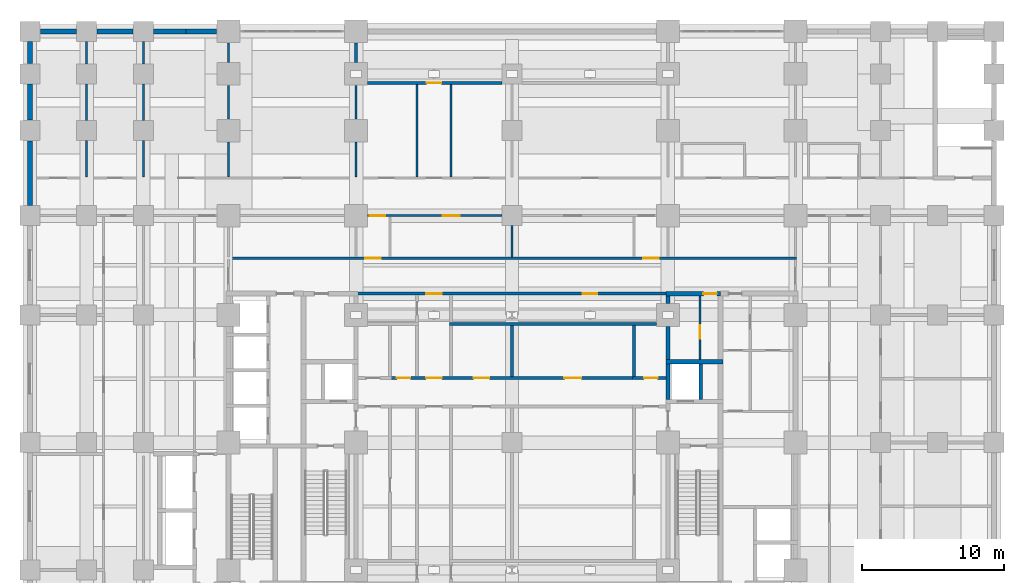
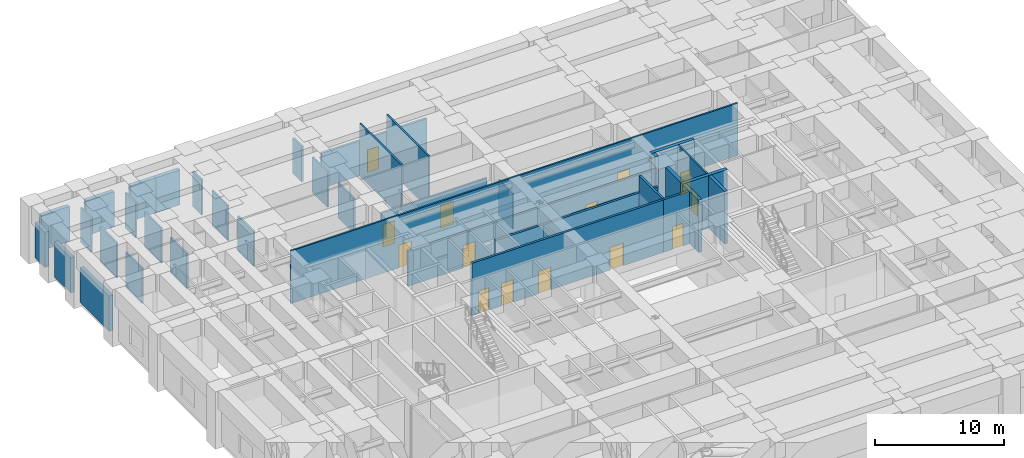
# One storey, part 12 of 22: 38 walls, 14 doors, 14 openings.
"""IFC4 building model written with IfcOpenShell, lengths in metres."""

from ifc_helpers import new_model, si_unit, direction, frame, frame_2d, origin, place, context, subcontext, project, spatial, rectangle, extrude, material, layer, layer_set, type_object, element, fill, save


model = new_model("IFC4")

# Units and contexts
model_context = context("Model", 3, precision=1e-05, world=origin(), true_north=direction((0.0, 1.0)))
body_context = subcontext(model_context, "Body", "Model", "MODEL_VIEW")
ifc_project = project(units=[si_unit("LENGTHUNIT", "METRE"), si_unit("AREAUNIT", "SQUARE_METRE"), si_unit("VOLUMEUNIT", "CUBIC_METRE"), si_unit("PLANEANGLEUNIT", "RADIAN"), si_unit("MASSUNIT", "GRAM", prefix="KILO")], contexts=[model_context])

# Site, building, storey
site_placement = place(None, origin())
site = spatial("IfcSite", under=ifc_project, at=site_placement, CompositionType="ELEMENT")
building_placement = place(site_placement, origin())
building = spatial("IfcBuilding", under=site, at=building_placement, Name="Zulmaris Gate Convention Tower", CompositionType="ELEMENT")
storey_placement = place(building_placement, frame((0.0, 0.0, 21.760009765625)))
storey = spatial("IfcBuildingStorey", under=building, at=storey_placement, Name="L04", CompositionType="ELEMENT", Elevation=21.760009765625)

# Walls
ifc_material_1 = material(Name="Concrete C50/60", Category="concrete")
ifc_layer_1 = layer(ifc_material_1, 0.25, Name="Concrete C50/60")
ifc_layer_set_1 = layer_set([ifc_layer_1], Name="Concrete C50/60")
wall_type_1 = type_object("IfcWallType", Name="CORE-250", PredefinedType="SOLIDWALL", material=ifc_layer_set_1)
wall_1_placement = place(storey_placement, frame((13.300048828125, 3.052001953125, 0.0), z_axis=(0.0, 0.0, 1.0), x_axis=(0.0, 1.0, 0.0)))
element("IfcWall", 1, at=wall_1_placement, inside=storey, type_object=wall_type_1, Name="WL-L04-103", PredefinedType="SOLIDWALL", context=body_context, shape_type="SweptSolid", body=[
    extrude(rectangle(XDim=2.49609375, YDim=0.25, at=frame_2d((1.248046875, 0.0))), origin(), (0.0, 0.0, 1.0), 4.989990234375),
])
ifc_layer_2 = layer(ifc_material_1, 0.300048828125, Name="Concrete C50/60")
ifc_layer_set_2 = layer_set([ifc_layer_2], Name="Concrete C50/60")
wall_type_2 = type_object("IfcWallType", Name="CORE-300", PredefinedType="SHEAR", material=ifc_layer_set_2)
wall_2_placement = place(storey_placement, frame((10.85009765625, 5.699951171875, 0.0), z_axis=(0.0, 0.0, 1.0), x_axis=(1.0, 0.0, 0.0)))
element("IfcWall", 2, at=wall_2_placement, inside=storey, type_object=wall_type_2, Name="WL-L04-021", PredefinedType="SHEAR", context=body_context, shape_type="SweptSolid", body=[
    extrude(rectangle(XDim=4.02490234375, YDim=0.300048828125, at=frame_2d((2.012451171875, 0.0))), origin(), (0.0, 0.0, 1.0), 4.989990234375),
])

# Wall, opening, door
wall_3_placement = place(storey_placement, frame((10.85009765625, 10.5, 0.0), z_axis=(0.0, 0.0, 1.0), x_axis=(1.0, 0.0, 0.0)))
wall_3 = element("IfcWall", 3, at=wall_3_placement, inside=storey, type_object=wall_type_2, Name="WL-L04-025", PredefinedType="SHEAR", context=body_context, shape_type="SweptSolid", body=[
    extrude(rectangle(XDim=3.849853515625, YDim=0.300048828125, at=frame_2d((1.9248046875, 0.0))), origin(), (0.0, 0.0, 1.0), 4.989990234375),
])
opening_1_placement = place(wall_3_placement, frame((2.655029296875, 0.0, 0.0)))
opening_1 = element("IfcOpeningElement", 4, at=opening_1_placement, cuts=wall_3, Name="Opening D-11", PredefinedType="OPENING", context=body_context, shape_type="SweptSolid", body=[
    extrude(rectangle(XDim=0.949951171875, YDim=2.14990234375, at=frame_2d((0.47509765625, 1.074951171875))), frame((0.0, 0.16015625, 0.0), z_axis=(0.0, -1.0, 0.0), x_axis=(1.0, 0.0, 0.0)), (0.0, 0.0, 1.0), 0.320068359375),
])
ifc_material_2 = material(Name="Fire-Rated Timber", Category="wood")
door_type_1 = type_object("IfcDoorType", Name="DR-950-FD", OperationType="NOTDEFINED", PredefinedType="DOOR", material=ifc_material_2)
door_1_placement = place(opening_1_placement, origin())
door_1 = element("IfcDoor", 5, at=door_1_placement, inside=storey, type_object=door_type_1, Name="L04 Core Linen Closet Door 08", OperationType="SINGLE_SWING_RIGHT", OverallHeight=2.14990234375, OverallWidth=0.949951171875, PredefinedType="DOOR", context=body_context, shape_type="SweptSolid", body=[
    extrude(rectangle(XDim=0.949951171875, YDim=2.14990234375, at=frame_2d((0.47509765625, 1.074951171875))), frame((0.0, 0.02490234375, 0.0), z_axis=(0.0, -1.0, 0.0), x_axis=(1.0, 0.0, 0.0)), (0.0, 0.0, 1.0), 0.050048828125),
])
fill(opening_1, door_1)

# Walls
wall_4_placement = place(storey_placement, frame((11.0, 3.052001953125, 0.0), z_axis=(0.0, 0.0, 1.0), x_axis=(0.0, 1.0, 0.0)))
element("IfcWall", 6, at=wall_4_placement, inside=storey, type_object=wall_type_2, Name="WL-L04-100", PredefinedType="SHEAR", context=body_context, shape_type="SweptSolid", body=[
    extrude(rectangle(XDim=2.49609375, YDim=0.300048828125, at=frame_2d((1.248046875, 0.0))), origin(), (0.0, 0.0, 1.0), 4.989990234375),
])
wall_5_placement = place(storey_placement, frame((11.0, 5.85205078125, 0.0), z_axis=(0.0, 0.0, 1.0), x_axis=(0.0, 1.0, 0.0)))
element("IfcWall", 7, at=wall_5_placement, inside=storey, type_object=wall_type_2, Name="WL-L04-101", PredefinedType="SHEAR", context=body_context, shape_type="SweptSolid", body=[
    extrude(rectangle(XDim=2.343994140625, YDim=0.300048828125, at=frame_2d((1.171875, 0.0))), origin(), (0.0, 0.0, 1.0), 4.989990234375),
])
wall_6_placement = place(storey_placement, frame((11.0, 9.803955078125, 0.0), z_axis=(0.0, 0.0, 1.0), x_axis=(0.0, 1.0, 0.0)))
element("IfcWall", 8, at=wall_6_placement, inside=storey, type_object=wall_type_2, Name="WL-L04-101S1", PredefinedType="SHEAR", context=body_context, shape_type="SweptSolid", body=[
    extrude(rectangle(XDim=0.5439453125, YDim=0.300048828125, at=frame_2d((0.27197265625, 0.0))), origin(), (0.0, 0.0, 1.0), 4.989990234375),
])

# Wall, openings, doors
ifc_material_3 = material(Name="Gypsum Metal Stud Partition")
ifc_layer_3 = layer(ifc_material_3, 0.14990234375, Name="Gypsum Metal Stud Partition")
ifc_layer_set_3 = layer_set([ifc_layer_3], Name="Gypsum Metal Stud Partition")
wall_type_3 = type_object("IfcWallType", Name="PART-150", PredefinedType="PARTITIONING", material=ifc_layer_set_3)
wall_7_placement = place(storey_placement, frame((-20.074951171875, 13.0, 0.0), z_axis=(0.0, 0.0, 1.0), x_axis=(1.0, 0.0, 0.0)))
wall_7 = element("IfcWall", 9, at=wall_7_placement, inside=storey, type_object=wall_type_3, Name="WL-L04-067", PredefinedType="PARTITIONING", context=body_context, shape_type="SweptSolid", body=[
    extrude(rectangle(XDim=40.14990234375, YDim=0.14990234375, at=frame_2d((20.074951171875, 0.0))), origin(), (0.0, 0.0, 1.0), 4.989990234375),
])
opening_2_placement = place(wall_7_placement, frame((9.72509765625, 0.0, 0.0)))
opening_2 = element("IfcOpeningElement", 10, at=opening_2_placement, cuts=wall_7, Name="Opening D-08", PredefinedType="OPENING", context=body_context, shape_type="SweptSolid", body=[
    extrude(rectangle(XDim=1.10009765625, YDim=2.14990234375, at=frame_2d((0.550048828125, 1.074951171875))), frame((0.0, 0.0849609375, 0.0), z_axis=(0.0, -1.0, 0.0), x_axis=(1.0, 0.0, 0.0)), (0.0, 0.0, 1.0), 0.169921875),
])
opening_3_placement = place(wall_7_placement, frame((29.324951171875, 0.0, 0.0)))
opening_3 = element("IfcOpeningElement", 11, at=opening_3_placement, cuts=wall_7, Name="Opening D-08", PredefinedType="OPENING", context=body_context, shape_type="SweptSolid", body=[
    extrude(rectangle(XDim=1.10009765625, YDim=2.14990234375, at=frame_2d((0.550048828125, 1.074951171875))), frame((0.0, 0.0849609375, 0.0), z_axis=(0.0, -1.0, 0.0), x_axis=(1.0, 0.0, 0.0)), (0.0, 0.0, 1.0), 0.169921875),
])
ifc_material_4 = material(Name="Fire-Rated Steel", Category="steel")
door_type_2 = type_object("IfcDoorType", Name="DR-1100-FD", OperationType="NOTDEFINED", PredefinedType="DOOR", material=ifc_material_4)
door_2_placement = place(opening_2_placement, origin())
door_2 = element("IfcDoor", 12, at=door_2_placement, inside=storey, type_object=door_type_2, Name="L04 West Spine North Door 40", OperationType="SINGLE_SWING_RIGHT", OverallHeight=2.14990234375, OverallWidth=1.10009765625, PredefinedType="DOOR", context=body_context, shape_type="SweptSolid", body=[
    extrude(rectangle(XDim=1.10009765625, YDim=2.14990234375, at=frame_2d((0.550048828125, 1.074951171875))), frame((0.0, 0.02490234375, 0.0), z_axis=(0.0, -1.0, 0.0), x_axis=(1.0, 0.0, 0.0)), (0.0, 0.0, 1.0), 0.050048828125),
])
fill(opening_2, door_2)
door_3_placement = place(opening_3_placement, origin())
door_3 = element("IfcDoor", 13, at=door_3_placement, inside=storey, type_object=door_type_2, Name="L04 East Spine North Door 41", OperationType="SINGLE_SWING_LEFT", OverallHeight=2.14990234375, OverallWidth=1.10009765625, PredefinedType="DOOR", context=body_context, shape_type="SweptSolid", body=[
    extrude(rectangle(XDim=1.10009765625, YDim=2.14990234375, at=frame_2d((0.550048828125, 1.074951171875))), frame((0.0, 0.02490234375, 0.0), z_axis=(0.0, -1.0, 0.0), x_axis=(1.0, 0.0, 0.0)), (0.0, 0.0, 1.0), 0.050048828125),
])
fill(opening_3, door_3)

wall_8_placement = place(storey_placement, frame((-10.194091796875, 16.0, 0.0), z_axis=(0.0, 0.0, 1.0), x_axis=(1.0, 0.0, 0.0)))
wall_8 = element("IfcWall", 14, at=wall_8_placement, inside=storey, type_object=wall_type_3, Name="WL-L04-068S4", PredefinedType="PARTITIONING", context=body_context, shape_type="SweptSolid", body=[
    extrude(rectangle(XDim=9.488037109375, YDim=0.14990234375, at=frame_2d((4.744140625, 0.0))), origin(), (0.0, 0.0, 1.0), 3.33203125),
])
opening_4_placement = place(wall_8_placement, frame((0.14990234375, 0.0, 0.0)))
opening_4 = element("IfcOpeningElement", 15, at=opening_4_placement, cuts=wall_8, Name="Opening D-08", PredefinedType="OPENING", context=body_context, shape_type="SweptSolid", body=[
    extrude(rectangle(XDim=1.10009765625, YDim=2.14990234375, at=frame_2d((0.550048828125, 1.074951171875))), frame((0.0, 0.0849609375, 0.0), z_axis=(0.0, -1.0, 0.0), x_axis=(1.0, 0.0, 0.0)), (0.0, 0.0, 1.0), 0.169921875),
])
opening_5_placement = place(wall_8_placement, frame((5.2939453125, 0.0, 0.0)))
opening_5 = element("IfcOpeningElement", 16, at=opening_5_placement, cuts=wall_8, Name="Opening D-13", PredefinedType="OPENING", context=body_context, shape_type="SweptSolid", body=[
    extrude(rectangle(XDim=1.199951171875, YDim=2.14990234375, at=frame_2d((0.60009765625, 1.074951171875))), frame((0.0, 0.0849609375, 0.0), z_axis=(0.0, -1.0, 0.0), x_axis=(1.0, 0.0, 0.0)), (0.0, 0.0, 1.0), 0.169921875),
])
door_4_placement = place(opening_4_placement, origin())
door_4 = element("IfcDoor", 17, at=door_4_placement, inside=storey, type_object=door_type_2, Name="L04 NW Concourse Link Door 36", OperationType="SINGLE_SWING_RIGHT", OverallHeight=2.14990234375, OverallWidth=1.10009765625, PredefinedType="DOOR", context=body_context, shape_type="SweptSolid", body=[
    extrude(rectangle(XDim=1.10009765625, YDim=2.14990234375, at=frame_2d((0.550048828125, 1.074951171875))), frame((0.0, 0.02490234375, 0.0), z_axis=(0.0, -1.0, 0.0), x_axis=(1.0, 0.0, 0.0)), (0.0, 0.0, 1.0), 0.050048828125),
])
fill(opening_4, door_4)
door_type_3 = type_object("IfcDoorType", Name="DR-1200-FD", OperationType="NOTDEFINED", PredefinedType="DOOR", material=ifc_material_4)
door_5_placement = place(opening_5_placement, origin())
door_5 = element("IfcDoor", 18, at=door_5_placement, inside=storey, type_object=door_type_3, Name="L04 West Pre-Function North Door 48", OperationType="SINGLE_SWING_RIGHT", OverallHeight=2.14990234375, OverallWidth=1.199951171875, PredefinedType="DOOR", context=body_context, shape_type="SweptSolid", body=[
    extrude(rectangle(XDim=1.199951171875, YDim=2.14990234375, at=frame_2d((0.60009765625, 1.074951171875))), frame((0.0, 0.02490234375, 0.0), z_axis=(0.0, -1.0, 0.0), x_axis=(1.0, 0.0, 0.0)), (0.0, 0.0, 1.0), 0.050048828125),
])
fill(opening_5, door_5)

# Walls
wall_9_placement = place(storey_placement, frame((-30.0, 18.72802734375, 0.0), z_axis=(0.0, 0.0, 1.0), x_axis=(0.0, 1.0, 0.0)))
element("IfcWall", 19, at=wall_9_placement, inside=storey, type_object=wall_type_3, Name="WL-L04-115", PredefinedType="PARTITIONING", context=body_context, shape_type="SweptSolid", body=[
    extrude(rectangle(XDim=2.56591796875, YDim=0.14990234375, at=frame_2d((1.282958984375, 0.0))), origin(), (0.0, 0.0, 1.0), 3.33203125),
])
wall_10_placement = place(storey_placement, frame((-30.0, 22.7060546875, 0.0), z_axis=(0.0, 0.0, 1.0), x_axis=(0.0, 1.0, 0.0)))
element("IfcWall", 20, at=wall_10_placement, inside=storey, type_object=wall_type_3, Name="WL-L04-115S1", PredefinedType="PARTITIONING", context=body_context, shape_type="SweptSolid", body=[
    extrude(rectangle(XDim=2.587890625, YDim=0.14990234375, at=frame_2d((1.2939453125, 0.0))), origin(), (0.0, 0.0, 1.0), 3.33203125),
])
wall_11_placement = place(storey_placement, frame((-30.0, 26.7060546875, 0.0), z_axis=(0.0, 0.0, 1.0), x_axis=(0.0, 1.0, 0.0)))
element("IfcWall", 21, at=wall_11_placement, inside=storey, type_object=wall_type_3, Name="WL-L04-115S2", PredefinedType="PARTITIONING", context=body_context, shape_type="SweptSolid", body=[
    extrude(rectangle(XDim=1.587890625, YDim=0.14990234375, at=frame_2d((0.7939453125, 0.0))), origin(), (0.0, 0.0, 1.0), 3.33203125),
])
wall_12_placement = place(storey_placement, frame((-26.0, 18.72802734375, 0.0), z_axis=(0.0, 0.0, 1.0), x_axis=(0.0, 1.0, 0.0)))
element("IfcWall", 22, at=wall_12_placement, inside=storey, type_object=wall_type_3, Name="WL-L04-125", PredefinedType="PARTITIONING", context=body_context, shape_type="SweptSolid", body=[
    extrude(rectangle(XDim=2.56591796875, YDim=0.14990234375, at=frame_2d((1.282958984375, 0.0))), origin(), (0.0, 0.0, 1.0), 3.33203125),
])
wall_13_placement = place(storey_placement, frame((-26.0, 22.7060546875, 0.0), z_axis=(0.0, 0.0, 1.0), x_axis=(0.0, 1.0, 0.0)))
element("IfcWall", 23, at=wall_13_placement, inside=storey, type_object=wall_type_3, Name="WL-L04-125S1", PredefinedType="PARTITIONING", context=body_context, shape_type="SweptSolid", body=[
    extrude(rectangle(XDim=2.587890625, YDim=0.14990234375, at=frame_2d((1.2939453125, 0.0))), origin(), (0.0, 0.0, 1.0), 3.33203125),
])
wall_14_placement = place(storey_placement, frame((-26.0, 26.7060546875, 0.0), z_axis=(0.0, 0.0, 1.0), x_axis=(0.0, 1.0, 0.0)))
element("IfcWall", 24, at=wall_14_placement, inside=storey, type_object=wall_type_3, Name="WL-L04-125S2", PredefinedType="PARTITIONING", context=body_context, shape_type="SweptSolid", body=[
    extrude(rectangle(XDim=1.587890625, YDim=0.14990234375, at=frame_2d((0.7939453125, 0.0))), origin(), (0.0, 0.0, 1.0), 3.33203125),
])
wall_15_placement = place(storey_placement, frame((-20.0, 18.72802734375, 0.0), z_axis=(0.0, 0.0, 1.0), x_axis=(0.0, 1.0, 0.0)))
element("IfcWall", 25, at=wall_15_placement, inside=storey, type_object=wall_type_3, Name="WL-L04-133", PredefinedType="PARTITIONING", context=body_context, shape_type="SweptSolid", body=[
    extrude(rectangle(XDim=2.466064453125, YDim=0.14990234375, at=frame_2d((1.23291015625, 0.0))), origin(), (0.0, 0.0, 1.0), 3.33203125),
])
wall_16_placement = place(storey_placement, frame((-20.0, 22.805908203125, 0.0), z_axis=(0.0, 0.0, 1.0), x_axis=(0.0, 1.0, 0.0)))
element("IfcWall", 26, at=wall_16_placement, inside=storey, type_object=wall_type_3, Name="WL-L04-133S1", PredefinedType="PARTITIONING", context=body_context, shape_type="SweptSolid", body=[
    extrude(rectangle(XDim=2.38818359375, YDim=0.14990234375, at=frame_2d((1.194091796875, 0.0))), origin(), (0.0, 0.0, 1.0), 3.33203125),
])
wall_17_placement = place(storey_placement, frame((-20.0, 26.805908203125, 0.0), z_axis=(0.0, 0.0, 1.0), x_axis=(0.0, 1.0, 0.0)))
element("IfcWall", 27, at=wall_17_placement, inside=storey, type_object=wall_type_3, Name="WL-L04-133S2", PredefinedType="PARTITIONING", context=body_context, shape_type="SweptSolid", body=[
    extrude(rectangle(XDim=1.38818359375, YDim=0.14990234375, at=frame_2d((0.694091796875, 0.0))), origin(), (0.0, 0.0, 1.0), 3.33203125),
])
wall_18_placement = place(storey_placement, frame((-11.0, 18.72802734375, 0.0), z_axis=(0.0, 0.0, 1.0), x_axis=(0.0, 1.0, 0.0)))
element("IfcWall", 28, at=wall_18_placement, inside=storey, type_object=wall_type_3, Name="WL-L04-137", PredefinedType="PARTITIONING", context=body_context, shape_type="SweptSolid", body=[
    extrude(rectangle(XDim=2.466064453125, YDim=0.14990234375, at=frame_2d((1.23291015625, 0.0))), origin(), (0.0, 0.0, 1.0), 3.33203125),
])
wall_19_placement = place(storey_placement, frame((-11.0, 22.805908203125, 0.0), z_axis=(0.0, 0.0, 1.0), x_axis=(0.0, 1.0, 0.0)))
element("IfcWall", 29, at=wall_19_placement, inside=storey, type_object=wall_type_3, Name="WL-L04-137S1", PredefinedType="PARTITIONING", context=body_context, shape_type="SweptSolid", body=[
    extrude(rectangle(XDim=2.38818359375, YDim=0.14990234375, at=frame_2d((1.194091796875, 0.0))), origin(), (0.0, 0.0, 1.0), 3.33203125),
])
for number, where, z_axis, x_axis, name in (
    (30, (-6.699951171875, 18.72802734375, 0.0), (0.0, 0.0, 1.0), (0.0, 1.0, 0.0), "WL-L04-149"),
    (31, (-4.300048828125, 18.72802734375, 0.0), (0.0, 0.0, 1.0), (0.0, 1.0, 0.0), "WL-L04-156"),
):
    element("IfcWall", number, at=place(storey_placement, frame(where, z_axis=z_axis, x_axis=x_axis)), inside=storey, type_object=wall_type_3, Name=name, PredefinedType="PARTITIONING", context=body_context, shape_type="SweptSolid", body=[
        extrude(rectangle(XDim=6.51904296875, YDim=0.14990234375, at=frame_2d((3.259521484375, 0.0))), origin(), (0.0, 0.0, 1.0), 4.989990234375),
    ])
wall_20_placement = place(storey_placement, frame((0.0, 13.077880859375, 0.0), z_axis=(0.0, 0.0, 1.0), x_axis=(0.0, 1.0, 0.0)))
element("IfcWall", 32, at=wall_20_placement, inside=storey, type_object=wall_type_3, Name="WL-L04-161", PredefinedType="PARTITIONING", context=body_context, shape_type="SweptSolid", body=[
    extrude(rectangle(XDim=2.216064453125, YDim=0.14990234375, at=frame_2d((1.10791015625, 0.0))), origin(), (0.0, 0.0, 1.0), 3.33203125),
])

# Wall, opening, door
wall_21_placement = place(storey_placement, frame((13.25, 5.85302734375, 0.0), z_axis=(0.0, 0.0, 1.0), x_axis=(0.0, 1.0, 0.0)))
wall_21 = element("IfcWall", 33, at=wall_21_placement, inside=storey, type_object=wall_type_3, Name="WL-L04-173", PredefinedType="PARTITIONING", context=body_context, shape_type="SweptSolid", body=[
    extrude(rectangle(XDim=4.493896484375, YDim=0.14990234375, at=frame_2d((2.2470703125, 0.0))), origin(), (0.0, 0.0, 1.0), 4.989990234375),
])
opening_6_placement = place(wall_21_placement, frame((1.471923828125, 0.0, 0.0)))
opening_6 = element("IfcOpeningElement", 34, at=opening_6_placement, cuts=wall_21, Name="Opening D-11", PredefinedType="OPENING", context=body_context, shape_type="SweptSolid", body=[
    extrude(rectangle(XDim=0.949951171875, YDim=2.14990234375, at=frame_2d((0.47509765625, 1.074951171875))), frame((0.0, 0.0849609375, 0.0), z_axis=(0.0, -1.0, 0.0), x_axis=(1.0, 0.0, 0.0)), (0.0, 0.0, 1.0), 0.169921875),
])
door_6_placement = place(opening_6_placement, origin())
door_6 = element("IfcDoor", 35, at=door_6_placement, inside=storey, type_object=door_type_1, Name="L04 Core Service Pantry Door 09", OperationType="SINGLE_SWING_LEFT", OverallHeight=2.14990234375, OverallWidth=0.949951171875, PredefinedType="DOOR", context=body_context, shape_type="SweptSolid", body=[
    extrude(rectangle(XDim=0.949951171875, YDim=2.14990234375, at=frame_2d((0.47509765625, 1.074951171875))), frame((0.0, 0.02490234375, 0.0), z_axis=(0.0, -1.0, 0.0), x_axis=(1.0, 0.0, 0.0)), (0.0, 0.0, 1.0), 0.050048828125),
])
fill(opening_6, door_6)

# Wall, openings, doors
ifc_material_5 = material(Name="Autoclaved Aerated Concrete Block and Plasterboard", Category="concrete")
ifc_layer_4 = layer(ifc_material_5, 0.199951171875, Name="Autoclaved Aerated Concrete Block and Plasterboard")
ifc_layer_set_4 = layer_set([ifc_layer_4], Name="Autoclaved Aerated Concrete Block and Plasterboard")
wall_type_4 = type_object("IfcWallType", Name="PART-200", PredefinedType="PARTITIONING", material=ifc_layer_set_4)
wall_22_placement = place(storey_placement, frame((-8.699951171875, 4.550048828125, 0.0), z_axis=(0.0, 0.0, 1.0), x_axis=(1.0, 0.0, 0.0)))
wall_22 = element("IfcWall", 36, at=wall_22_placement, inside=storey, type_object=wall_type_4, Name="WL-L04-059", PredefinedType="PARTITIONING", context=body_context, shape_type="SweptSolid", body=[
    extrude(rectangle(XDim=17.39990234375, YDim=0.199951171875, at=frame_2d((8.699951171875, 0.0))), origin(), (0.0, 0.0, 1.0), 4.989990234375),
])
opening_7_placement = place(wall_22_placement, frame((2.64990234375, 0.0, 0.0)))
opening_7 = element("IfcOpeningElement", 37, at=opening_7_placement, cuts=wall_22, Name="Opening D-08", PredefinedType="OPENING", context=body_context, shape_type="SweptSolid", body=[
    extrude(rectangle(XDim=1.10009765625, YDim=2.14990234375, at=frame_2d((0.550048828125, 1.074951171875))), frame((0.0, 0.10986328125, 0.0), z_axis=(0.0, -1.0, 0.0), x_axis=(1.0, 0.0, 0.0)), (0.0, 0.0, 1.0), 0.219970703125),
])
opening_8_placement = place(wall_22_placement, frame((0.574951171875, 0.0, 0.0)))
opening_8 = element("IfcOpeningElement", 38, at=opening_8_placement, cuts=wall_22, Name="Opening D-11", PredefinedType="OPENING", context=body_context, shape_type="SweptSolid", body=[
    extrude(rectangle(XDim=0.949951171875, YDim=2.14990234375, at=frame_2d((0.47509765625, 1.074951171875))), frame((0.0, 0.10986328125, 0.0), z_axis=(0.0, -1.0, 0.0), x_axis=(1.0, 0.0, 0.0)), (0.0, 0.0, 1.0), 0.219970703125),
])
opening_9_placement = place(wall_22_placement, frame((6.0, 0.0, 0.0)))
opening_9 = element("IfcOpeningElement", 39, at=opening_9_placement, cuts=wall_22, Name="Opening D-08", PredefinedType="OPENING", context=body_context, shape_type="SweptSolid", body=[
    extrude(rectangle(XDim=1.10009765625, YDim=2.14990234375, at=frame_2d((0.550048828125, 1.074951171875))), frame((0.0, 0.10986328125, 0.0), z_axis=(0.0, -1.0, 0.0), x_axis=(1.0, 0.0, 0.0)), (0.0, 0.0, 1.0), 0.219970703125),
])
opening_10_placement = place(wall_22_placement, frame((12.39990234375, 0.0, 0.0)))
opening_10 = element("IfcOpeningElement", 40, at=opening_10_placement, cuts=wall_22, Name="Opening D-13", PredefinedType="OPENING", context=body_context, shape_type="SweptSolid", body=[
    extrude(rectangle(XDim=1.199951171875, YDim=2.14990234375, at=frame_2d((0.60009765625, 1.074951171875))), frame((0.0, 0.10986328125, 0.0), z_axis=(0.0, -1.0, 0.0), x_axis=(1.0, 0.0, 0.0)), (0.0, 0.0, 1.0), 0.219970703125),
])
door_7_placement = place(opening_7_placement, origin())
door_7 = element("IfcDoor", 41, at=door_7_placement, inside=storey, type_object=door_type_2, Name="L04 Apex Spine North Cross Door 94", OperationType="SINGLE_SWING_RIGHT", OverallHeight=2.14990234375, OverallWidth=1.10009765625, PredefinedType="DOOR", context=body_context, shape_type="SweptSolid", body=[
    extrude(rectangle(XDim=1.10009765625, YDim=2.14990234375, at=frame_2d((0.550048828125, 1.074951171875))), frame((0.0, 0.02490234375, 0.0), z_axis=(0.0, -1.0, 0.0), x_axis=(1.0, 0.0, 0.0)), (0.0, 0.0, 1.0), 0.050048828125),
])
fill(opening_7, door_7)
door_8_placement = place(opening_9_placement, origin())
door_8 = element("IfcDoor", 42, at=door_8_placement, inside=storey, type_object=door_type_2, Name="L04 West Sky-Foyer Door 105", OperationType="SINGLE_SWING_LEFT", OverallHeight=2.14990234375, OverallWidth=1.10009765625, PredefinedType="DOOR", context=body_context, shape_type="SweptSolid", body=[
    extrude(rectangle(XDim=1.10009765625, YDim=2.14990234375, at=frame_2d((0.550048828125, 1.074951171875))), frame((0.0, 0.02490234375, 0.0), z_axis=(0.0, -1.0, 0.0), x_axis=(1.0, 0.0, 0.0)), (0.0, 0.0, 1.0), 0.050048828125),
])
fill(opening_9, door_8)
door_9_placement = place(opening_10_placement, origin())
door_9 = element("IfcDoor", 43, at=door_9_placement, inside=storey, type_object=door_type_3, Name="L04 East Sky-Foyer Door 106", OperationType="SINGLE_SWING_RIGHT", OverallHeight=2.14990234375, OverallWidth=1.199951171875, PredefinedType="DOOR", context=body_context, shape_type="SweptSolid", body=[
    extrude(rectangle(XDim=1.199951171875, YDim=2.14990234375, at=frame_2d((0.60009765625, 1.074951171875))), frame((0.0, 0.02490234375, 0.0), z_axis=(0.0, -1.0, 0.0), x_axis=(1.0, 0.0, 0.0)), (0.0, 0.0, 1.0), 0.050048828125),
])
fill(opening_10, door_9)
door_10_placement = place(opening_8_placement, origin())
door_10 = element("IfcDoor", 44, at=door_10_placement, inside=storey, type_object=door_type_1, Name="L04 NW Coat Store Door 104", OperationType="SINGLE_SWING_RIGHT", OverallHeight=2.14990234375, OverallWidth=0.949951171875, PredefinedType="DOOR", context=body_context, shape_type="SweptSolid", body=[
    extrude(rectangle(XDim=0.949951171875, YDim=2.14990234375, at=frame_2d((0.47509765625, 1.074951171875))), frame((0.0, 0.02490234375, 0.0), z_axis=(0.0, -1.0, 0.0), x_axis=(1.0, 0.0, 0.0)), (0.0, 0.0, 1.0), 0.050048828125),
])
fill(opening_8, door_10)

# Wall, opening, door
wall_23_placement = place(storey_placement, frame((8.5, 4.550048828125, 0.0), z_axis=(0.0, 0.0, 1.0), x_axis=(1.0, 0.0, 0.0)))
wall_23 = element("IfcWall", 45, at=wall_23_placement, inside=storey, type_object=wall_type_4, Name="WL-L04-060", PredefinedType="PARTITIONING", context=body_context, shape_type="SweptSolid", body=[
    extrude(rectangle(XDim=2.346923828125, YDim=0.199951171875, at=frame_2d((1.17333984375, 0.0))), origin(), (0.0, 0.0, 1.0), 4.989990234375),
])
opening_11_placement = place(wall_23_placement, frame((0.824951171875, 0.0, 0.0)))
opening_11 = element("IfcOpeningElement", 46, at=opening_11_placement, cuts=wall_23, Name="Opening D-11", PredefinedType="OPENING", context=body_context, shape_type="SweptSolid", body=[
    extrude(rectangle(XDim=0.949951171875, YDim=2.14990234375, at=frame_2d((0.47509765625, 1.074951171875))), frame((0.0, 0.10986328125, 0.0), z_axis=(0.0, -1.0, 0.0), x_axis=(1.0, 0.0, 0.0)), (0.0, 0.0, 1.0), 0.219970703125),
])
door_11_placement = place(opening_11_placement, origin())
door_11 = element("IfcDoor", 47, at=door_11_placement, inside=storey, type_object=door_type_1, Name="L04 NE Arch Equipment Door 31", OperationType="SINGLE_SWING_LEFT", OverallHeight=2.14990234375, OverallWidth=0.949951171875, PredefinedType="DOOR", context=body_context, shape_type="SweptSolid", body=[
    extrude(rectangle(XDim=0.949951171875, YDim=2.14990234375, at=frame_2d((0.47509765625, 1.074951171875))), frame((0.0, 0.02490234375, 0.0), z_axis=(0.0, -1.0, 0.0), x_axis=(1.0, 0.0, 0.0)), (0.0, 0.0, 1.0), 0.050048828125),
])
fill(opening_11, door_11)

# Wall
wall_24_placement = place(storey_placement, frame((-4.39990234375, 8.35009765625, 0.0), z_axis=(0.0, 0.0, 1.0), x_axis=(1.0, 0.0, 0.0)))
element("IfcWall", 48, at=wall_24_placement, inside=storey, type_object=wall_type_4, Name="WL-L04-063", PredefinedType="PARTITIONING", context=body_context, shape_type="SweptSolid", body=[
    extrude(rectangle(XDim=14.593994140625, YDim=0.199951171875, at=frame_2d((7.296875, 0.0))), origin(), (0.0, 0.0, 1.0), 3.33203125),
])

# Wall, openings, doors
wall_25_placement = place(storey_placement, frame((-11.0, 10.5, 0.0), z_axis=(0.0, 0.0, 1.0), x_axis=(1.0, 0.0, 0.0)))
wall_25 = element("IfcWall", 49, at=wall_25_placement, inside=storey, type_object=wall_type_4, Name="WL-L04-066", PredefinedType="PARTITIONING", context=body_context, shape_type="SweptSolid", body=[
    extrude(rectangle(XDim=22.0, YDim=0.199951171875, at=frame_2d((11.0, 0.0))), origin(), (0.0, 0.0, 1.0), 3.33203125),
])
opening_12_placement = place(wall_25_placement, frame((4.949951171875, 0.0, 0.0)))
opening_12 = element("IfcOpeningElement", 50, at=opening_12_placement, cuts=wall_25, Name="Opening D-08", PredefinedType="OPENING", context=body_context, shape_type="SweptSolid", body=[
    extrude(rectangle(XDim=1.10009765625, YDim=2.14990234375, at=frame_2d((0.550048828125, 1.074951171875))), frame((0.0, 0.10986328125, 0.0), z_axis=(0.0, -1.0, 0.0), x_axis=(1.0, 0.0, 0.0)), (0.0, 0.0, 1.0), 0.219970703125),
])
opening_13_placement = place(wall_25_placement, frame((15.97509765625, 0.0, 0.0)))
opening_13 = element("IfcOpeningElement", 51, at=opening_13_placement, cuts=wall_25, Name="Opening D-09", PredefinedType="OPENING", context=body_context, shape_type="SweptSolid", body=[
    extrude(rectangle(XDim=1.050048828125, YDim=2.14990234375, at=frame_2d((0.52490234375, 1.074951171875))), frame((0.0, 0.10986328125, 0.0), z_axis=(0.0, -1.0, 0.0), x_axis=(1.0, 0.0, 0.0)), (0.0, 0.0, 1.0), 0.219970703125),
])
door_type_4 = type_object("IfcDoorType", Name="DR-1050-FD", OperationType="NOTDEFINED", PredefinedType="DOOR", material=ifc_material_4)
door_12_placement = place(opening_13_placement, origin())
door_12 = element("IfcDoor", 52, at=door_12_placement, inside=storey, type_object=door_type_4, Name="L04 NE Truss Plant Door 108", OperationType="SINGLE_SWING_RIGHT", OverallHeight=2.14990234375, OverallWidth=1.050048828125, PredefinedType="DOOR", context=body_context, shape_type="SweptSolid", body=[
    extrude(rectangle(XDim=1.050048828125, YDim=2.14990234375, at=frame_2d((0.52490234375, 1.074951171875))), frame((0.0, 0.02490234375, 0.0), z_axis=(0.0, -1.0, 0.0), x_axis=(1.0, 0.0, 0.0)), (0.0, 0.0, 1.0), 0.050048828125),
])
fill(opening_13, door_12)
door_13_placement = place(opening_12_placement, origin())
door_13 = element("IfcDoor", 53, at=door_13_placement, inside=storey, type_object=door_type_2, Name="L04 Apex Spine North Link Door 95", OperationType="SINGLE_SWING_LEFT", OverallHeight=2.14990234375, OverallWidth=1.10009765625, PredefinedType="DOOR", context=body_context, shape_type="SweptSolid", body=[
    extrude(rectangle(XDim=1.10009765625, YDim=2.14990234375, at=frame_2d((0.550048828125, 1.074951171875))), frame((0.0, 0.02490234375, 0.0), z_axis=(0.0, -1.0, 0.0), x_axis=(1.0, 0.0, 0.0)), (0.0, 0.0, 1.0), 0.050048828125),
])
fill(opening_12, door_13)

# Wall, opening, door
wall_26_placement = place(storey_placement, frame((-10.194091796875, 25.35009765625, 0.0), z_axis=(0.0, 0.0, 1.0), x_axis=(1.0, 0.0, 0.0)))
wall_26 = element("IfcWall", 54, at=wall_26_placement, inside=storey, type_object=wall_type_4, Name="WL-L04-072", PredefinedType="PARTITIONING", context=body_context, shape_type="SweptSolid", body=[
    extrude(rectangle(XDim=9.488037109375, YDim=0.199951171875, at=frame_2d((4.744140625, 0.0))), origin(), (0.0, 0.0, 1.0), 3.33203125),
])
opening_14_placement = place(wall_26_placement, frame((4.1689453125, 0.0, 0.0)))
opening_14 = element("IfcOpeningElement", 55, at=opening_14_placement, cuts=wall_26, Name="Opening D-09", PredefinedType="OPENING", context=body_context, shape_type="SweptSolid", body=[
    extrude(rectangle(XDim=1.050048828125, YDim=2.14990234375, at=frame_2d((0.52490234375, 1.074951171875))), frame((0.0, 0.10986328125, 0.0), z_axis=(0.0, -1.0, 0.0), x_axis=(1.0, 0.0, 0.0)), (0.0, 0.0, 1.0), 0.219970703125),
])
door_14_placement = place(opening_14_placement, origin())
door_14 = element("IfcDoor", 56, at=door_14_placement, inside=storey, type_object=door_type_4, Name="L04 North Truss Plant Door 51", OperationType="SINGLE_SWING_LEFT", OverallHeight=2.14990234375, OverallWidth=1.050048828125, PredefinedType="DOOR", context=body_context, shape_type="SweptSolid", body=[
    extrude(rectangle(XDim=1.050048828125, YDim=2.14990234375, at=frame_2d((0.52490234375, 1.074951171875))), frame((0.0, 0.02490234375, 0.0), z_axis=(0.0, -1.0, 0.0), x_axis=(1.0, 0.0, 0.0)), (0.0, 0.0, 1.0), 0.050048828125),
])
fill(opening_14, door_14)

# Walls
wall_27_placement = place(storey_placement, frame((-11.0, 26.805908203125, 0.0), z_axis=(0.0, 0.0, 1.0), x_axis=(0.0, 1.0, 0.0)))
element("IfcWall", 57, at=wall_27_placement, inside=storey, type_object=wall_type_4, Name="WL-L04-138", PredefinedType="PARTITIONING", context=body_context, shape_type="SweptSolid", body=[
    extrude(rectangle(XDim=1.38818359375, YDim=0.199951171875, at=frame_2d((0.694091796875, 0.0))), origin(), (0.0, 0.0, 1.0), 3.33203125),
])
wall_28_placement = place(storey_placement, frame((0.0, 4.653076171875, 0.0), z_axis=(0.0, 0.0, 1.0), x_axis=(0.0, 1.0, 0.0)))
element("IfcWall", 58, at=wall_28_placement, inside=storey, type_object=wall_type_4, Name="WL-L04-160", PredefinedType="PARTITIONING", context=body_context, shape_type="SweptSolid", body=[
    extrude(rectangle(XDim=3.593994140625, YDim=0.199951171875, at=frame_2d((1.796875, 0.0))), origin(), (0.0, 0.0, 1.0), 3.33203125),
])
wall_29_placement = place(storey_placement, frame((8.60009765625, 4.653076171875, 0.0), z_axis=(0.0, 0.0, 1.0), x_axis=(0.0, 1.0, 0.0)))
element("IfcWall", 59, at=wall_29_placement, inside=storey, type_object=wall_type_4, Name="WL-L04-165", PredefinedType="PARTITIONING", context=body_context, shape_type="SweptSolid", body=[
    extrude(rectangle(XDim=3.593994140625, YDim=0.199951171875, at=frame_2d((1.796875, 0.0))), origin(), (0.0, 0.0, 1.0), 4.989990234375),
])
ifc_material_6 = material(Name="Precast concrete C45/55", Category="concrete")
ifc_layer_5 = layer(ifc_material_6, 0.35009765625, Name="Precast concrete C45/55")
ifc_layer_set_5 = layer_set([ifc_layer_5], Name="Precast concrete C45/55")
wall_type_5 = type_object("IfcWallType", Name="PRECAST-POD-350", PredefinedType="STANDARD", material=ifc_layer_set_5)
for number, where, z_axis, x_axis, name in (
    (60, (-30.72998046875, 29.0, 0.0), (0.0, 0.0, 1.0), (-1.0, 0.0, 0.0), "EW-L04-N--340_0"),
    (61, (-26.72998046875, 29.0, 0.0), (0.0, 0.0, 1.0), (-1.0, 0.0, 0.0), "EW-L04-N--300_0"),
):
    element("IfcWall", number, at=place(storey_placement, frame(where, z_axis=z_axis, x_axis=x_axis)), inside=storey, type_object=wall_type_5, Name=name, PredefinedType="STANDARD", context=body_context, shape_type="SweptSolid", body=[
        extrude(rectangle(XDim=2.5400390625, YDim=0.35009765625, at=frame_2d((1.27001953125, 0.0))), origin(), (0.0, 0.0, 1.0), 3.33203125),
    ])
wall_30_placement = place(storey_placement, frame((-23.0, 29.0, 0.0), z_axis=(0.0, 0.0, 1.0), x_axis=(-1.0, 0.0, 0.0)))
element("IfcWall", 62, at=wall_30_placement, inside=storey, type_object=wall_type_5, Name="EW-L04-N--260_0", PredefinedType="STANDARD", context=body_context, shape_type="SweptSolid", body=[
    extrude(rectangle(XDim=2.27001953125, YDim=0.35009765625, at=frame_2d((1.135009765625, 0.0))), origin(), (0.0, 0.0, 1.0), 3.33203125),
])
wall_31_placement = place(storey_placement, frame((-20.830078125, 29.0, 0.0), z_axis=(0.0, 0.0, 1.0), x_axis=(-1.0, 0.0, 0.0)))
element("IfcWall", 63, at=wall_31_placement, inside=storey, type_object=wall_type_5, Name="EW-L04-N--230_0", PredefinedType="STANDARD", context=body_context, shape_type="SweptSolid", body=[
    extrude(rectangle(XDim=2.169921875, YDim=0.35009765625, at=frame_2d((1.0849609375, 0.0))), origin(), (0.0, 0.0, 1.0), 3.33203125),
])
wall_32_placement = place(storey_placement, frame((-34.0, 16.72998046875, 0.0), z_axis=(0.0, 0.0, 1.0), x_axis=(0.0, 1.0, 0.0)))
element("IfcWall", 64, at=wall_32_placement, inside=storey, type_object=wall_type_5, Name="EW-L04-W-16_0", PredefinedType="STANDARD", context=body_context, shape_type="SweptSolid", body=[
    extrude(rectangle(XDim=4.5400390625, YDim=0.35009765625, at=frame_2d((2.27001953125, 0.0))), origin(), (0.0, 0.0, 1.0), 3.33203125),
])
wall_33_placement = place(storey_placement, frame((-34.0, 22.72998046875, 0.0), z_axis=(0.0, 0.0, 1.0), x_axis=(0.0, 1.0, 0.0)))
element("IfcWall", 65, at=wall_33_placement, inside=storey, type_object=wall_type_5, Name="EW-L04-W-22_0", PredefinedType="STANDARD", context=body_context, shape_type="SweptSolid", body=[
    extrude(rectangle(XDim=2.5400390625, YDim=0.35009765625, at=frame_2d((1.27001953125, 0.0))), origin(), (0.0, 0.0, 1.0), 3.33203125),
])
wall_34_placement = place(storey_placement, frame((-34.0, 26.72998046875, 0.0), z_axis=(0.0, 0.0, 1.0), x_axis=(0.0, 1.0, 0.0)))
element("IfcWall", 66, at=wall_34_placement, inside=storey, type_object=wall_type_5, Name="EW-L04-W-26_0", PredefinedType="STANDARD", context=body_context, shape_type="SweptSolid", body=[
    extrude(rectangle(XDim=1.5400390625, YDim=0.35009765625, at=frame_2d((0.77001953125, 0.0))), origin(), (0.0, 0.0, 1.0), 3.33203125),
])

save(model, "model.ifc")
